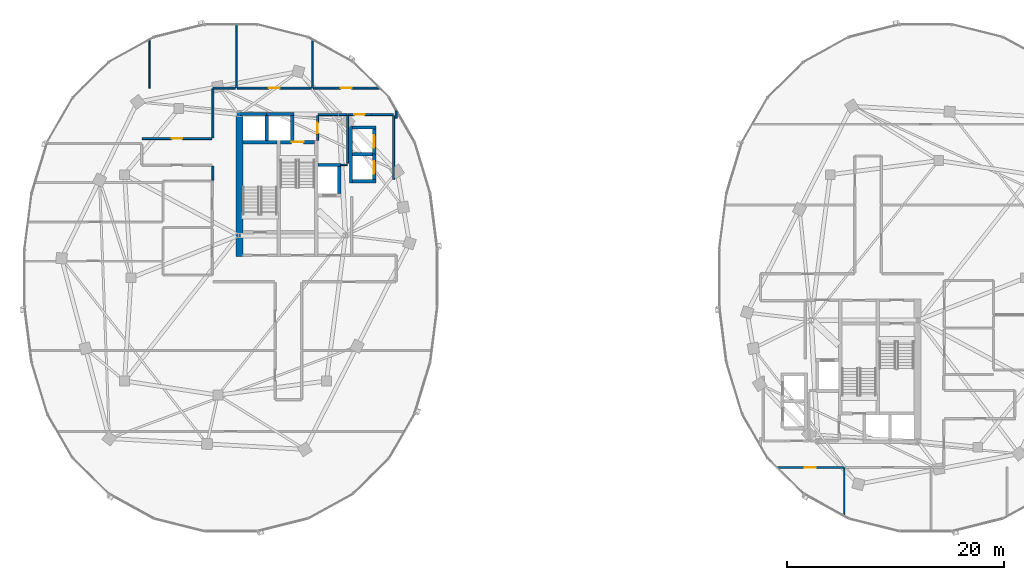
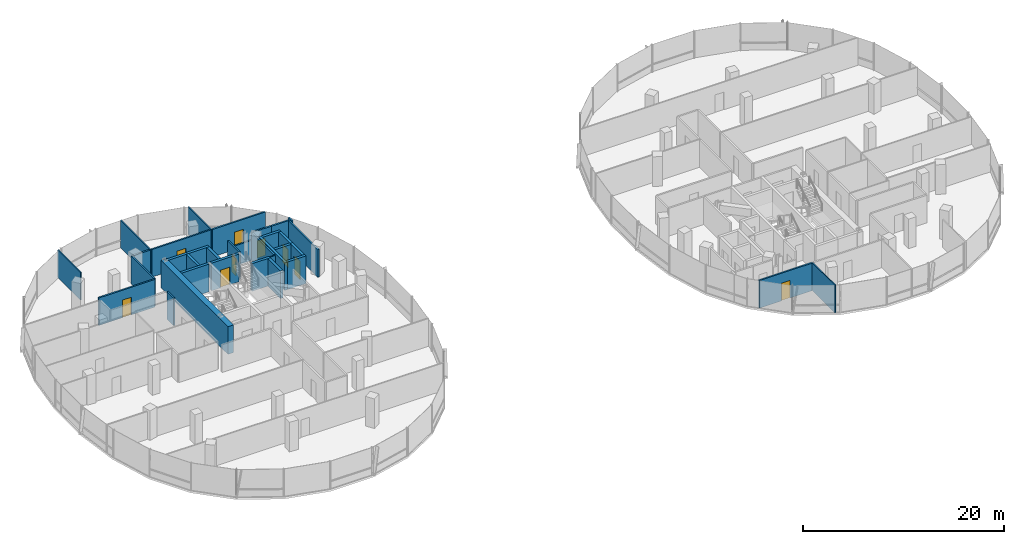
# One storey, part 13 of 23: 34 walls, 9 doors, 9 openings.
"""IFC4 building model written with IfcOpenShell, lengths in metres."""

from ifc_helpers import new_model, si_unit, direction, frame, frame_2d, origin, place, context, subcontext, project, spatial, rectangle, extrude, material, layer, layer_set, type_object, element, fill, save


model = new_model("IFC4")

# Units and contexts
model_context = context("Model", 3, precision=1e-05, world=origin(), true_north=direction((0.0, 1.0)))
body_context = subcontext(model_context, "Body", "Model", "MODEL_VIEW")
ifc_project = project(units=[si_unit("LENGTHUNIT", "METRE"), si_unit("AREAUNIT", "SQUARE_METRE"), si_unit("VOLUMEUNIT", "CUBIC_METRE"), si_unit("PLANEANGLEUNIT", "RADIAN"), si_unit("MASSUNIT", "GRAM", prefix="KILO"), si_unit("THERMODYNAMICTEMPERATUREUNIT", "KELVIN"), si_unit("POWERUNIT", "WATT")], contexts=[model_context])

# Site, building, storey
site_placement = place(None, origin())
site = spatial("IfcSite", under=ifc_project, at=site_placement, CompositionType="ELEMENT")
building_placement = place(site_placement, origin())
building = spatial("IfcBuilding", under=site, at=building_placement, Name="Cundina Bronze Exchange", CompositionType="ELEMENT")
storey_placement = place(building_placement, frame((0.0, 0.0, 176.39990234375)))
storey = spatial("IfcBuildingStorey", under=building, at=storey_placement, Name="L46", CompositionType="ELEMENT", Elevation=176.39990234375)

# Wall
ifc_material_1 = material(Name="Gypsum Fireboard Partition EI120")
ifc_layer_1 = layer(ifc_material_1, 0.179931640625, Name="Gypsum Fireboard Partition EI120")
ifc_layer_set_1 = layer_set([ifc_layer_1], Name="Gypsum Fireboard Partition EI120")
wall_type_1 = type_object("IfcWallType", Name="WL-COR-180", PredefinedType="PARTITIONING", material=ifc_layer_set_1)
wall_1_placement = place(storey_placement, frame((-17.02001953125, 9.070068359375, 0.0), z_axis=(0.0, 0.0, 1.0), x_axis=(0.0, 1.0, 0.0)))
element("IfcWall", 1, at=wall_1_placement, inside=storey, type_object=wall_type_1, Name="L46 Interior Partition 001", PredefinedType="PARTITIONING", context=body_context, shape_type="SweptSolid", body=[
    extrude(rectangle(XDim=5.85986328125, YDim=0.179931640625, at=frame_2d((2.929931640625, 0.0))), origin(), (0.0, 0.0, 1.0), 3.360107421875),
])

# Wall, opening, door
wall_2_placement = place(storey_placement, frame((-21.22998046875, 15.030029296875, 0.0), z_axis=(0.0, 0.0, 1.0), x_axis=(1.0, 0.0, 0.0)))
wall_2 = element("IfcWall", 2, at=wall_2_placement, inside=storey, type_object=wall_type_1, Name="L46 Interior Partition 002", PredefinedType="PARTITIONING", context=body_context, shape_type="SweptSolid", body=[
    extrude(rectangle(XDim=2.159912109375, YDim=0.179931640625, at=frame_2d((1.080078125, 0.0))), origin(), (0.0, 0.0, 1.0), 3.360107421875),
])
opening_1_placement = place(wall_2_placement, frame((0.60498046875, 0.0, 0.0)))
opening_1 = element("IfcOpeningElement", 3, at=opening_1_placement, cuts=wall_2, Name="Opening DW-01", PredefinedType="OPENING", context=body_context, shape_type="SweptSolid", body=[
    extrude(rectangle(XDim=0.949951171875, YDim=2.10009765625, at=frame_2d((0.47509765625, 1.050048828125))), frame((0.0, 0.099853515625, 0.0), z_axis=(0.0, -1.0, 0.0), x_axis=(1.0, 0.0, 0.0)), (0.0, 0.0, 1.0), 0.199951171875),
])
ifc_material_2 = material(Name="Solid Andean Oak Timber Grade A", Category="wood")
door_type_1 = type_object("IfcDoorType", Name="DR-WC-950", OperationType="NOTDEFINED", PredefinedType="DOOR", material=ifc_material_2)
door_1_placement = place(opening_1_placement, origin())
door_1 = element("IfcDoor", 4, at=door_1_placement, inside=storey, type_object=door_type_1, Name="L46 Interior Door 002", OperationType="SINGLE_SWING_LEFT", OverallHeight=2.10009765625, OverallWidth=0.949951171875, PredefinedType="DOOR", context=body_context, shape_type="SweptSolid", body=[
    extrude(rectangle(XDim=0.949951171875, YDim=2.10009765625, at=frame_2d((0.47509765625, 1.050048828125))), frame((0.0, 0.02490234375, 0.0), z_axis=(0.0, -1.0, 0.0), x_axis=(1.0, 0.0, 0.0)), (0.0, 0.0, 1.0), 0.050048828125),
])
fill(opening_1, door_1)

# Walls
wall_3_placement = place(storey_placement, frame((-19.030029296875, 15.030029296875, 0.0), z_axis=(0.0, 0.0, 1.0), x_axis=(1.0, 0.0, 0.0)))
element("IfcWall", 5, at=wall_3_placement, inside=storey, type_object=wall_type_1, Name="L46 Interior Partition 003", PredefinedType="PARTITIONING", context=body_context, shape_type="SweptSolid", body=[
    extrude(rectangle(XDim=1.989990234375, YDim=0.179931640625, at=frame_2d((0.9951171875, 0.0))), origin(), (0.0, 0.0, 1.0), 3.360107421875),
])
wall_4_placement = place(storey_placement, frame((-21.25, 10.570068359375, 0.0), z_axis=(0.0, 0.0, 1.0), x_axis=(0.0, 1.0, 0.0)))
element("IfcWall", 6, at=wall_4_placement, inside=storey, type_object=wall_type_1, Name="L46 Interior Partition 005", PredefinedType="PARTITIONING", context=body_context, shape_type="SweptSolid", body=[
    extrude(rectangle(XDim=4.35986328125, YDim=0.179931640625, at=frame_2d((2.179931640625, 0.0))), origin(), (0.0, 0.0, 1.0), 3.360107421875),
])
wall_5_placement = place(storey_placement, frame((-23.9599609375, 15.030029296875, 0.0), z_axis=(0.0, 0.0, 1.0), x_axis=(1.0, 0.0, 0.0)))
element("IfcWall", 7, at=wall_5_placement, inside=storey, type_object=wall_type_1, Name="L46 Interior Partition 006", PredefinedType="PARTITIONING", context=body_context, shape_type="SweptSolid", body=[
    extrude(rectangle(XDim=2.60986328125, YDim=0.179931640625, at=frame_2d((1.304931640625, 0.0))), origin(), (0.0, 0.0, 1.0), 2.43310546875),
])

# Wall, opening, door
wall_6_placement = place(storey_placement, frame((-24.02001953125, 12.669921875, 0.0), z_axis=(0.0, 0.0, 1.0), x_axis=(0.0, 1.0, 0.0)))
wall_6 = element("IfcWall", 8, at=wall_6_placement, inside=storey, type_object=wall_type_1, Name="L46 Interior Partition 008", PredefinedType="PARTITIONING", context=body_context, shape_type="SweptSolid", body=[
    extrude(rectangle(XDim=2.260009765625, YDim=0.179931640625, at=frame_2d((1.1298828125, 0.0))), origin(), (0.0, 0.0, 1.0), 3.360107421875),
])
opening_2_placement = place(wall_6_placement, frame((0.655029296875, 0.0, 0.0)))
opening_2 = element("IfcOpeningElement", 9, at=opening_2_placement, cuts=wall_6, Name="Opening DW-01", PredefinedType="OPENING", context=body_context, shape_type="SweptSolid", body=[
    extrude(rectangle(XDim=0.949951171875, YDim=2.10009765625, at=frame_2d((0.47509765625, 1.050048828125))), frame((0.0, 0.099853515625, 0.0), z_axis=(0.0, -1.0, 0.0), x_axis=(1.0, 0.0, 0.0)), (0.0, 0.0, 1.0), 0.199951171875),
])
door_2_placement = place(opening_2_placement, origin())
door_2 = element("IfcDoor", 10, at=door_2_placement, inside=storey, type_object=door_type_1, Name="L46 Interior Door 008", OperationType="SINGLE_SWING_LEFT", OverallHeight=2.10009765625, OverallWidth=0.949951171875, PredefinedType="DOOR", context=body_context, shape_type="SweptSolid", body=[
    extrude(rectangle(XDim=0.949951171875, YDim=2.10009765625, at=frame_2d((0.47509765625, 1.050048828125))), frame((0.0, 0.02490234375, 0.0), z_axis=(0.0, -1.0, 0.0), x_axis=(1.0, 0.0, 0.0)), (0.0, 0.0, 1.0), 0.050048828125),
])
fill(opening_2, door_2)

# Walls
wall_7_placement = place(storey_placement, frame((-16.780029296875, 14.721435546875, 0.0), z_axis=(0.0, 0.0, 1.0), x_axis=(0.0, 1.0, 0.0)))
element("IfcWall", 11, at=wall_7_placement, inside=storey, type_object=wall_type_1, Name="L46 Interior Partition 033", PredefinedType="PARTITIONING", context=body_context, shape_type="SweptSolid", body=[
    extrude(rectangle(XDim=0.68359375, YDim=0.179931640625, at=frame_2d((0.341796875, 0.0))), origin(), (0.0, 0.0, 1.0), 3.360107421875),
])
wall_8_placement = place(storey_placement, frame((-33.669921875, 10.300048828125, 0.0), z_axis=(0.0, 0.0, 1.0), x_axis=(0.0, -1.0, 0.0)))
element("IfcWall", 12, at=wall_8_placement, inside=storey, type_object=wall_type_1, Name="L46 Interior Partition 036", PredefinedType="PARTITIONING", context=body_context, shape_type="SweptSolid", body=[
    extrude(rectangle(XDim=1.298583984375, YDim=0.179931640625, at=frame_2d((0.6494140625, 0.0))), origin(), (0.0, 0.0, 1.0), 3.360107421875),
])

# Wall, opening, door
wall_9_placement = place(storey_placement, frame((-33.75, 12.820068359375, 0.0), z_axis=(0.0, 0.0, 1.0), x_axis=(-1.0, 0.0, 0.0)))
wall_9 = element("IfcWall", 13, at=wall_9_placement, inside=storey, type_object=wall_type_1, Name="L46 Interior Partition 037", PredefinedType="PARTITIONING", context=body_context, shape_type="SweptSolid", body=[
    extrude(rectangle(XDim=6.428466796875, YDim=0.179931640625, at=frame_2d((3.21435546875, 0.0))), origin(), (0.0, 0.0, 1.0), 3.360107421875),
])
opening_3_placement = place(wall_9_placement, frame((2.714111328125, 0.0, 0.0)))
opening_3 = element("IfcOpeningElement", 14, at=opening_3_placement, cuts=wall_9, Name="Opening DO-01", PredefinedType="OPENING", context=body_context, shape_type="SweptSolid", body=[
    extrude(rectangle(XDim=1.0, YDim=2.14990234375, at=frame_2d((0.5, 1.074951171875))), frame((0.0, 0.099853515625, 0.0), z_axis=(0.0, -1.0, 0.0), x_axis=(1.0, 0.0, 0.0)), (0.0, 0.0, 1.0), 0.199951171875),
])
door_type_2 = type_object("IfcDoorType", Name="DR-OFF-1000", OperationType="NOTDEFINED", PredefinedType="DOOR", material=ifc_material_2)
door_3_placement = place(opening_3_placement, origin())
door_3 = element("IfcDoor", 15, at=door_3_placement, inside=storey, type_object=door_type_2, Name="L46 Interior Door 037", OperationType="SINGLE_SWING_LEFT", OverallHeight=2.14990234375, OverallWidth=1.0, PredefinedType="DOOR", context=body_context, shape_type="SweptSolid", body=[
    extrude(rectangle(XDim=1.0, YDim=2.14990234375, at=frame_2d((0.5, 1.074951171875))), frame((0.0, 0.02490234375, 0.0), z_axis=(0.0, -1.0, 0.0), x_axis=(1.0, 0.0, 0.0)), (0.0, 0.0, 1.0), 0.050048828125),
])
fill(opening_3, door_3)

# Walls
wall_10_placement = place(storey_placement, frame((-33.669921875, 17.428466796875, 0.0), z_axis=(0.0, 0.0, 1.0), x_axis=(0.0, -1.0, 0.0)))
element("IfcWall", 16, at=wall_10_placement, inside=storey, type_object=wall_type_1, Name="L46 Interior Partition 038", PredefinedType="PARTITIONING", context=body_context, shape_type="SweptSolid", body=[
    extrude(rectangle(XDim=4.528564453125, YDim=0.179931640625, at=frame_2d((2.26416015625, 0.0))), origin(), (0.0, 0.0, 1.0), 3.360107421875),
])
wall_11_placement = place(storey_placement, frame((-31.590087890625, 17.469970703125, 0.0), z_axis=(0.0, 0.0, 1.0), x_axis=(-1.0, 0.0, 0.0)))
element("IfcWall", 17, at=wall_11_placement, inside=storey, type_object=wall_type_1, Name="L46 Interior Partition 039", PredefinedType="PARTITIONING", context=body_context, shape_type="SweptSolid", body=[
    extrude(rectangle(XDim=2.038330078125, YDim=0.179931640625, at=frame_2d((1.01904296875, 0.0))), origin(), (0.0, 0.0, 1.0), 3.360107421875),
])

# Wall, opening, door
wall_12_placement = place(storey_placement, frame((-18.341796875, 17.469970703125, 0.0), z_axis=(0.0, 0.0, 1.0), x_axis=(-1.0, 0.0, 0.0)))
wall_12 = element("IfcWall", 18, at=wall_12_placement, inside=storey, type_object=wall_type_1, Name="L46 Interior Partition 040", PredefinedType="PARTITIONING", context=body_context, shape_type="SweptSolid", body=[
    extrude(rectangle(XDim=6.068115234375, YDim=0.179931640625, at=frame_2d((3.0341796875, 0.0))), origin(), (0.0, 0.0, 1.0), 3.360107421875),
])
opening_4_placement = place(wall_12_placement, frame((2.5341796875, 0.0, 0.0)))
opening_4 = element("IfcOpeningElement", 19, at=opening_4_placement, cuts=wall_12, Name="Opening DO-01", PredefinedType="OPENING", context=body_context, shape_type="SweptSolid", body=[
    extrude(rectangle(XDim=1.0, YDim=2.14990234375, at=frame_2d((0.5, 1.074951171875))), frame((0.0, 0.099853515625, 0.0), z_axis=(0.0, -1.0, 0.0), x_axis=(1.0, 0.0, 0.0)), (0.0, 0.0, 1.0), 0.199951171875),
])
door_4_placement = place(opening_4_placement, origin())
door_4 = element("IfcDoor", 20, at=door_4_placement, inside=storey, type_object=door_type_2, Name="L46 Interior Door 040", OperationType="SINGLE_SWING_RIGHT", OverallHeight=2.14990234375, OverallWidth=1.0, PredefinedType="DOOR", context=body_context, shape_type="SweptSolid", body=[
    extrude(rectangle(XDim=1.0, YDim=2.14990234375, at=frame_2d((0.5, 1.074951171875))), frame((0.0, 0.02490234375, 0.0), z_axis=(0.0, -1.0, 0.0), x_axis=(1.0, 0.0, 0.0)), (0.0, 0.0, 1.0), 0.050048828125),
])
fill(opening_4, door_4)

wall_13_placement = place(storey_placement, frame((-24.590087890625, 17.469970703125, 0.0), z_axis=(0.0, 0.0, 1.0), x_axis=(-1.0, 0.0, 0.0)))
wall_13 = element("IfcWall", 21, at=wall_13_placement, inside=storey, type_object=wall_type_1, Name="L46 Interior Partition 041", PredefinedType="PARTITIONING", context=body_context, shape_type="SweptSolid", body=[
    extrude(rectangle(XDim=6.81982421875, YDim=0.179931640625, at=frame_2d((3.409912109375, 0.0))), origin(), (0.0, 0.0, 1.0), 3.360107421875),
])
opening_5_placement = place(wall_13_placement, frame((2.909912109375, 0.0, 0.0)))
opening_5 = element("IfcOpeningElement", 22, at=opening_5_placement, cuts=wall_13, Name="Opening DO-01", PredefinedType="OPENING", context=body_context, shape_type="SweptSolid", body=[
    extrude(rectangle(XDim=1.0, YDim=2.14990234375, at=frame_2d((0.5, 1.074951171875))), frame((0.0, 0.099853515625, 0.0), z_axis=(0.0, -1.0, 0.0), x_axis=(1.0, 0.0, 0.0)), (0.0, 0.0, 1.0), 0.199951171875),
])
door_5_placement = place(opening_5_placement, origin())
door_5 = element("IfcDoor", 23, at=door_5_placement, inside=storey, type_object=door_type_2, Name="L46 Interior Door 041", OperationType="SINGLE_SWING_RIGHT", OverallHeight=2.14990234375, OverallWidth=1.0, PredefinedType="DOOR", context=body_context, shape_type="SweptSolid", body=[
    extrude(rectangle(XDim=1.0, YDim=2.14990234375, at=frame_2d((0.5, 1.074951171875))), frame((0.0, 0.02490234375, 0.0), z_axis=(0.0, -1.0, 0.0), x_axis=(1.0, 0.0, 0.0)), (0.0, 0.0, 1.0), 0.050048828125),
])
fill(opening_5, door_5)

wall_14_placement = place(storey_placement, frame((18.341796875, -17.469970703125, 0.0), z_axis=(0.0, 0.0, 1.0), x_axis=(1.0, 0.0, 0.0)))
wall_14 = element("IfcWall", 24, at=wall_14_placement, inside=storey, type_object=wall_type_1, Name="L46 Interior Partition 068", PredefinedType="PARTITIONING", context=body_context, shape_type="SweptSolid", body=[
    extrude(rectangle(XDim=6.068115234375, YDim=0.179931640625, at=frame_2d((3.0341796875, 0.0))), origin(), (0.0, 0.0, 1.0), 3.360107421875),
])
opening_6_placement = place(wall_14_placement, frame((2.5341796875, 0.0, 0.0)))
opening_6 = element("IfcOpeningElement", 25, at=opening_6_placement, cuts=wall_14, Name="Opening DO-01", PredefinedType="OPENING", context=body_context, shape_type="SweptSolid", body=[
    extrude(rectangle(XDim=1.0, YDim=2.14990234375, at=frame_2d((0.5, 1.074951171875))), frame((0.0, 0.099853515625, 0.0), z_axis=(0.0, -1.0, 0.0), x_axis=(1.0, 0.0, 0.0)), (0.0, 0.0, 1.0), 0.199951171875),
])
door_6_placement = place(opening_6_placement, origin())
door_6 = element("IfcDoor", 26, at=door_6_placement, inside=storey, type_object=door_type_2, Name="L46 Interior Door 068", OperationType="SINGLE_SWING_LEFT", OverallHeight=2.14990234375, OverallWidth=1.0, PredefinedType="DOOR", context=body_context, shape_type="SweptSolid", body=[
    extrude(rectangle(XDim=1.0, YDim=2.14990234375, at=frame_2d((0.5, 1.074951171875))), frame((0.0, 0.02490234375, 0.0), z_axis=(0.0, -1.0, 0.0), x_axis=(1.0, 0.0, 0.0)), (0.0, 0.0, 1.0), 0.050048828125),
])
fill(opening_6, door_6)

# Walls
ifc_material_3 = material(Name="Concrete C50/60", Category="concrete")
ifc_layer_2 = layer(ifc_material_3, 0.64990234375, Name="Concrete C50/60", Category="concrete")
ifc_layer_set_2 = layer_set([ifc_layer_2], Name="Concrete C50/60")
wall_type_2 = type_object("IfcWallType", Name="WL-CORE-650", PredefinedType="SHEAR", material=ifc_layer_set_2)
wall_15_placement = place(storey_placement, frame((-31.22509765625, 1.969970703125, 0.0), z_axis=(0.0, 0.0, 1.0), x_axis=(0.0, 1.0, 0.0)))
element("IfcWall", 27, at=wall_15_placement, inside=storey, type_object=wall_type_2, Name="L46 W Primary Core Shear Spine Wall", PredefinedType="SHEAR", context=body_context, shape_type="SweptSolid", body=[
    extrude(rectangle(XDim=13.330078125, YDim=0.64990234375, at=frame_2d((6.6650390625, 0.0))), origin(), (0.0, 0.0, 1.0), 3.360107421875),
])
ifc_material_4 = material(Name="Gypsum Acoustic Partition EI60")
ifc_layer_3 = layer(ifc_material_4, 0.125, Name="Gypsum Acoustic Partition EI60")
ifc_layer_set_3 = layer_set([ifc_layer_3], Name="Gypsum Acoustic Partition EI60")
wall_type_3 = type_object("IfcWallType", Name="WL-OFF-125", PredefinedType="PARTITIONING", material=ifc_layer_set_3)
wall_16_placement = place(storey_placement, frame((-39.5, 17.469970703125, 0.0), z_axis=(0.0, 0.0, 1.0), x_axis=(0.0, 1.0, 0.0)))
element("IfcWall", 28, at=wall_16_placement, inside=storey, type_object=wall_type_3, Name="L46 Interior Partition 021", PredefinedType="PARTITIONING", context=body_context, shape_type="SweptSolid", body=[
    extrude(rectangle(XDim=4.55517578125, YDim=0.125, at=frame_2d((2.277587890625, 0.0))), origin(), (0.0, 0.0, 1.0), 3.360107421875),
])
wall_17_placement = place(storey_placement, frame((-31.5, 17.5, 0.0), z_axis=(0.0, 0.0, 1.0), x_axis=(0.0, 1.0, 0.0)))
element("IfcWall", 29, at=wall_17_placement, inside=storey, type_object=wall_type_3, Name="L46 Interior Partition 022", PredefinedType="PARTITIONING", context=body_context, shape_type="SweptSolid", body=[
    extrude(rectangle(XDim=5.902099609375, YDim=0.125, at=frame_2d((2.951171875, 0.0))), origin(), (0.0, 0.0, 1.0), 3.360107421875),
])
for number, where, z_axis, x_axis, name in (
    (30, (-24.5, 17.5, 0.0), (0.0, 0.0, 1.0), (0.0, 1.0, 0.0), "L46 Interior Partition 023"),
    (31, (24.5, -22.025146484375, 0.0), (0.0, 0.0, 1.0), (0.0, 1.0, 0.0), "L46 Interior Partition 064"),
):
    element("IfcWall", number, at=place(storey_placement, frame(where, z_axis=z_axis, x_axis=x_axis)), inside=storey, type_object=wall_type_3, Name=name, PredefinedType="PARTITIONING", context=body_context, shape_type="SweptSolid", body=[
        extrude(rectangle(XDim=4.525146484375, YDim=0.125, at=frame_2d((2.2626953125, 0.0))), origin(), (0.0, 0.0, 1.0), 3.360107421875),
    ])
ifc_layer_4 = layer(ifc_material_3, 0.300048828125, Name="Concrete C50/60", Category="concrete")
ifc_layer_set_4 = layer_set([ifc_layer_4], Name="Concrete C50/60")
wall_type_4 = type_object("IfcWallType", Name="WL-SHFT-300", PredefinedType="SHEAR", material=ifc_layer_set_4)
wall_18_placement = place(storey_placement, frame((-30.89990234375, 12.5, 0.0), z_axis=(0.0, 0.0, 1.0), x_axis=(1.0, 0.0, 0.0)))
element("IfcWall", 32, at=wall_18_placement, inside=storey, type_object=wall_type_4, Name="L46 Stair W1 Far Shaft Wall", PredefinedType="SHEAR", context=body_context, shape_type="SweptSolid", body=[
    extrude(rectangle(XDim=3.159912109375, YDim=0.300048828125, at=frame_2d((1.580078125, 0.0))), origin(), (0.0, 0.0, 1.0), 3.360107421875),
])

# Wall, opening, door
wall_19_placement = place(storey_placement, frame((-27.43994140625, 12.5, 0.0), z_axis=(0.0, 0.0, 1.0), x_axis=(1.0, 0.0, 0.0)))
wall_19 = element("IfcWall", 33, at=wall_19_placement, inside=storey, type_object=wall_type_4, Name="L46 Stair W2 Landing Wall", PredefinedType="SHEAR", context=body_context, shape_type="SweptSolid", body=[
    extrude(rectangle(XDim=3.159912109375, YDim=0.300048828125, at=frame_2d((1.580078125, 0.0))), origin(), (0.0, 0.0, 1.0), 3.360107421875),
])
opening_7_placement = place(wall_19_placement, frame((1.030029296875, 0.0, 0.0)))
opening_7 = element("IfcOpeningElement", 34, at=opening_7_placement, cuts=wall_19, Name="Opening DS-01", PredefinedType="OPENING", context=body_context, shape_type="SweptSolid", body=[
    extrude(rectangle(XDim=1.10009765625, YDim=2.14990234375, at=frame_2d((0.550048828125, 1.074951171875))), frame((0.0, 0.159912109375, 0.0), z_axis=(0.0, -1.0, 0.0), x_axis=(1.0, 0.0, 0.0)), (0.0, 0.0, 1.0), 0.320068359375),
])
ifc_material_5 = material(Name="Steel ASTM A36 Painted", Category="steel")
door_type_3 = type_object("IfcDoorType", Name="DR-STR-1100", OperationType="NOTDEFINED", PredefinedType="DOOR", material=ifc_material_5)
door_7_placement = place(opening_7_placement, origin())
door_7 = element("IfcDoor", 35, at=door_7_placement, inside=storey, type_object=door_type_3, Name="L46 Smokeproof Stair W2 Door", OperationType="SINGLE_SWING_LEFT", OverallHeight=2.14990234375, OverallWidth=1.10009765625, PredefinedType="DOOR", context=body_context, shape_type="SweptSolid", body=[
    extrude(rectangle(XDim=1.10009765625, YDim=2.14990234375, at=frame_2d((0.550048828125, 1.074951171875))), frame((0.0, 0.02490234375, 0.0), z_axis=(0.0, -1.0, 0.0), x_axis=(1.0, 0.0, 0.0)), (0.0, 0.0, 1.0), 0.050048828125),
])
fill(opening_7, door_7)

# Walls
wall_20_placement = place(storey_placement, frame((-23.97998046875, 10.39990234375, 0.0), z_axis=(0.0, 0.0, 1.0), x_axis=(1.0, 0.0, 0.0)))
element("IfcWall", 36, at=wall_20_placement, inside=storey, type_object=wall_type_4, Name="L46 FFL-W Hoistway Back Wall", PredefinedType="SHEAR", context=body_context, shape_type="SweptSolid", body=[
    extrude(rectangle(XDim=2.10009765625, YDim=0.300048828125, at=frame_2d((1.050048828125, 0.0))), origin(), (0.0, 0.0, 1.0), 3.360107421875),
])
for number, where, z_axis, x_axis, name in (
    (37, (-22.030029296875, 7.75, 0.0), (0.0, 0.0, 1.0), (0.0, 1.0, 0.0), "L46 FFL-W Hoistway Side Wall"),
    (38, (-31.199951171875, 15.10009765625, 0.0), (0.0, 0.0, 1.0), (1.0, 0.0, 0.0), "L46 PH-W1 Hoistway Front Wall"),
):
    element("IfcWall", number, at=place(storey_placement, frame(where, z_axis=z_axis, x_axis=x_axis)), inside=storey, type_object=wall_type_4, Name=name, PredefinedType="SHEAR", context=body_context, shape_type="SweptSolid", body=[
        extrude(rectangle(XDim=2.5, YDim=0.300048828125, at=frame_2d((1.25, 0.0))), origin(), (0.0, 0.0, 1.0), 3.360107421875),
    ])
wall_21_placement = place(storey_placement, frame((-28.699951171875, 12.64990234375, 0.0), z_axis=(0.0, 0.0, 1.0), x_axis=(0.0, 1.0, 0.0)))
element("IfcWall", 39, at=wall_21_placement, inside=storey, type_object=wall_type_4, Name="L46 PH-W1 Hoistway Divider Wall", PredefinedType="SHEAR", context=body_context, shape_type="SweptSolid", body=[
    extrude(rectangle(XDim=2.300048828125, YDim=0.300048828125, at=frame_2d((1.14990234375, 0.0))), origin(), (0.0, 0.0, 1.0), 3.360107421875),
])
wall_22_placement = place(storey_placement, frame((-28.699951171875, 15.10009765625, 0.0), z_axis=(0.0, 0.0, 1.0), x_axis=(1.0, 0.0, 0.0)))
element("IfcWall", 40, at=wall_22_placement, inside=storey, type_object=wall_type_4, Name="L46 PH-W2 Hoistway Front Wall", PredefinedType="SHEAR", context=body_context, shape_type="SweptSolid", body=[
    extrude(rectangle(XDim=2.5, YDim=0.300048828125, at=frame_2d((1.25, 0.0))), origin(), (0.0, 0.0, 1.0), 3.360107421875),
])
wall_23_placement = place(storey_placement, frame((-26.35009765625, 12.64990234375, 0.0), z_axis=(0.0, 0.0, 1.0), x_axis=(0.0, 1.0, 0.0)))
element("IfcWall", 41, at=wall_23_placement, inside=storey, type_object=wall_type_4, Name="L46 PH-W2 Hoistway Divider Wall", PredefinedType="SHEAR", context=body_context, shape_type="SweptSolid", body=[
    extrude(rectangle(XDim=2.300048828125, YDim=0.300048828125, at=frame_2d((1.14990234375, 0.0))), origin(), (0.0, 0.0, 1.0), 3.360107421875),
])
wall_24_placement = place(storey_placement, frame((-20.949951171875, 8.75, 0.0), z_axis=(0.0, 0.0, 1.0), x_axis=(0.0, 1.0, 0.0)))
element("IfcWall", 42, at=wall_24_placement, inside=storey, type_object=wall_type_4, Name="L46 W Passenger Bank Hoistway Back Wall", PredefinedType="SHEAR", context=body_context, shape_type="SweptSolid", body=[
    extrude(rectangle(XDim=5.25, YDim=0.300048828125, at=frame_2d((2.625, 0.0))), origin(), (0.0, 0.0, 1.0), 3.360107421875),
])
for number, where, z_axis, x_axis, name in (
    (43, (-20.800048828125, 8.89990234375, 0.0), (0.0, 0.0, 1.0), (1.0, 0.0, 0.0), "L46 W Passenger Bank South Cap Wall"),
    (44, (-20.800048828125, 13.85009765625, 0.0), (0.0, 0.0, 1.0), (1.0, 0.0, 0.0), "L46 W Passenger Bank North Cap Wall"),
):
    element("IfcWall", number, at=place(storey_placement, frame(where, z_axis=z_axis, x_axis=x_axis)), inside=storey, type_object=wall_type_4, Name=name, PredefinedType="SHEAR", context=body_context, shape_type="SweptSolid", body=[
        extrude(rectangle(XDim=2.150146484375, YDim=0.300048828125, at=frame_2d((1.0751953125, 0.0))), origin(), (0.0, 0.0, 1.0), 3.360107421875),
    ])
wall_25_placement = place(storey_placement, frame((-20.800048828125, 11.375, 0.0), z_axis=(0.0, 0.0, 1.0), x_axis=(1.0, 0.0, 0.0)))
element("IfcWall", 45, at=wall_25_placement, inside=storey, type_object=wall_type_4, Name="L46 W Passenger Hoistway Divider 1", PredefinedType="SHEAR", context=body_context, shape_type="SweptSolid", body=[
    extrude(rectangle(XDim=1.85009765625, YDim=0.300048828125, at=frame_2d((0.925048828125, 0.0))), origin(), (0.0, 0.0, 1.0), 3.360107421875),
])

# Wall, opening, door
wall_26_placement = place(storey_placement, frame((-18.800048828125, 8.929931640625, 0.0), z_axis=(0.0, 0.0, 1.0), x_axis=(0.0, 1.0, 0.0)))
wall_26 = element("IfcWall", 46, at=wall_26_placement, inside=storey, type_object=wall_type_4, Name="L46 PM-W2 Hoistway Front Wall", PredefinedType="SHEAR", context=body_context, shape_type="SweptSolid", body=[
    extrude(rectangle(XDim=2.489990234375, YDim=0.300048828125, at=frame_2d((1.2451171875, 0.0))), origin(), (0.0, 0.0, 1.0), 3.360107421875),
])
opening_8_placement = place(wall_26_placement, frame((0.669921875, 0.0, 0.0)))
opening_8 = element("IfcOpeningElement", 47, at=opening_8_placement, cuts=wall_26, Name="Opening LD-01", PredefinedType="OPENING", context=body_context, shape_type="SweptSolid", body=[
    extrude(rectangle(XDim=1.14990234375, YDim=2.199951171875, at=frame_2d((0.574951171875, 1.10009765625))), frame((0.0, 0.159912109375, 0.0), z_axis=(0.0, -1.0, 0.0), x_axis=(1.0, 0.0, 0.0)), (0.0, 0.0, 1.0), 0.320068359375),
])
door_type_4 = type_object("IfcDoorType", Name="DR-LND-1150", OperationType="NOTDEFINED", PredefinedType="TRAPDOOR", material=ifc_material_5)
door_8_placement = place(opening_8_placement, origin())
door_8 = element("IfcDoor", 48, at=door_8_placement, inside=storey, type_object=door_type_4, Name="L46 PM-W2 Sliding Landing Door", OperationType="SLIDING_TO_LEFT", OverallHeight=2.199951171875, OverallWidth=1.14990234375, PredefinedType="TRAPDOOR", context=body_context, shape_type="SweptSolid", body=[
    extrude(rectangle(XDim=1.14990234375, YDim=2.199951171875, at=frame_2d((0.574951171875, 1.10009765625))), frame((0.0, 0.02490234375, 0.0), z_axis=(0.0, -1.0, 0.0), x_axis=(1.0, 0.0, 0.0)), (0.0, 0.0, 1.0), 0.050048828125),
])
fill(opening_8, door_8)

wall_27_placement = place(storey_placement, frame((-18.800048828125, 11.330078125, 0.0), z_axis=(0.0, 0.0, 1.0), x_axis=(0.0, 1.0, 0.0)))
wall_27 = element("IfcWall", 49, at=wall_27_placement, inside=storey, type_object=wall_type_4, Name="L46 PM-W1 Hoistway Front Wall", PredefinedType="SHEAR", context=body_context, shape_type="SweptSolid", body=[
    extrude(rectangle(XDim=2.489990234375, YDim=0.300048828125, at=frame_2d((1.2451171875, 0.0))), origin(), (0.0, 0.0, 1.0), 3.360107421875),
])
opening_9_placement = place(wall_27_placement, frame((0.669921875, 0.0, 0.0)))
opening_9 = element("IfcOpeningElement", 50, at=opening_9_placement, cuts=wall_27, Name="Opening LD-01", PredefinedType="OPENING", context=body_context, shape_type="SweptSolid", body=[
    extrude(rectangle(XDim=1.14990234375, YDim=2.199951171875, at=frame_2d((0.574951171875, 1.10009765625))), frame((0.0, 0.159912109375, 0.0), z_axis=(0.0, -1.0, 0.0), x_axis=(1.0, 0.0, 0.0)), (0.0, 0.0, 1.0), 0.320068359375),
])
door_9_placement = place(opening_9_placement, origin())
door_9 = element("IfcDoor", 51, at=door_9_placement, inside=storey, type_object=door_type_4, Name="L46 PM-W1 Sliding Landing Door", OperationType="SLIDING_TO_LEFT", OverallHeight=2.199951171875, OverallWidth=1.14990234375, PredefinedType="TRAPDOOR", context=body_context, shape_type="SweptSolid", body=[
    extrude(rectangle(XDim=1.14990234375, YDim=2.199951171875, at=frame_2d((0.574951171875, 1.10009765625))), frame((0.0, 0.02490234375, 0.0), z_axis=(0.0, -1.0, 0.0), x_axis=(1.0, 0.0, 0.0)), (0.0, 0.0, 1.0), 0.050048828125),
])
fill(opening_9, door_9)

# Wall
ifc_material_6 = material(Name="Moisture-Resistant Masonry Block Grade M15", Category="masonry")
ifc_layer_5 = layer(ifc_material_6, 0.139892578125, Name="Moisture-Resistant Masonry Block Grade M15", Category="masonry")
ifc_layer_set_5 = layer_set([ifc_layer_5], Name="Moisture-Resistant Masonry Block Grade M15")
wall_type_5 = type_object("IfcWallType", Name="WL-WET-140", PredefinedType="PARTITIONING", material=ifc_layer_set_5)
wall_28_placement = place(storey_placement, frame((-21.860107421875, 10.39990234375, 0.0), z_axis=(0.0, 0.0, 1.0), x_axis=(1.0, 0.0, 0.0)))
element("IfcWall", 52, at=wall_28_placement, inside=storey, type_object=wall_type_5, Name="L46 Interior Partition 004", PredefinedType="PARTITIONING", context=body_context, shape_type="SweptSolid", body=[
    extrude(rectangle(XDim=0.590087890625, YDim=0.139892578125, at=frame_2d((0.294921875, 0.0))), origin(), (0.0, 0.0, 1.0), 3.360107421875),
])

save(model, "model.ifc")
